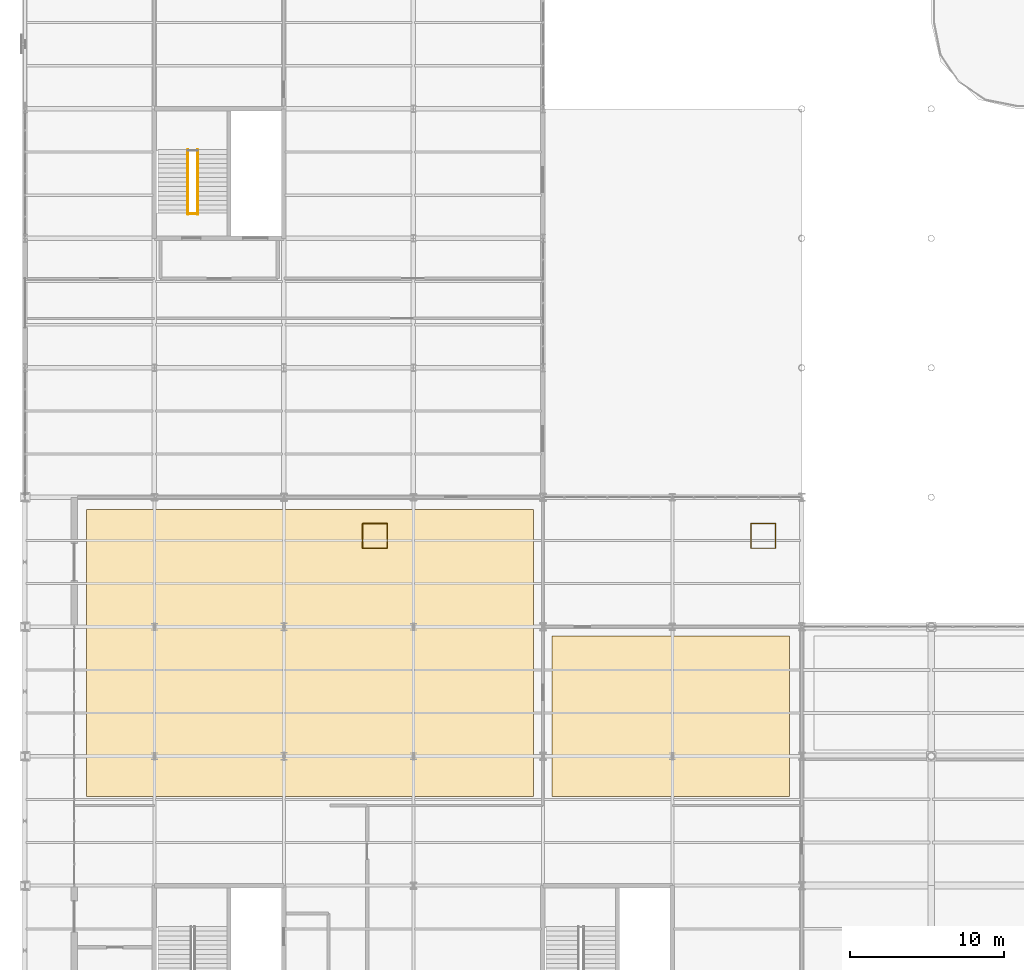
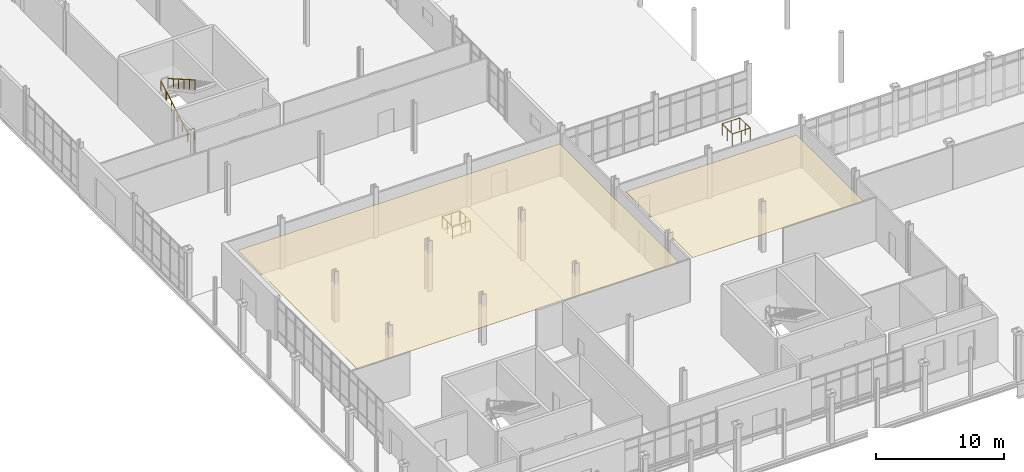
# One storey, part 137 of 145: 5 railings, 2 coverings.
"""IFC4 building model written with IfcOpenShell, lengths in metres."""

from ifc_helpers import new_model, si_unit, direction, frame, origin, origin_2d, place, context, subcontext, project, spatial, polyline, circle, outline, extrude, material, layer, layer_set, type_object, element, save


model = new_model("IFC4")

# Units and contexts
model_context = context("Model", 3, precision=1e-05, world=origin(), true_north=direction((0.0, 1.0)))
body_context = subcontext(model_context, "Body", "Model", "MODEL_VIEW")
ifc_project = project(units=[si_unit("LENGTHUNIT", "METRE"), si_unit("AREAUNIT", "SQUARE_METRE"), si_unit("VOLUMEUNIT", "CUBIC_METRE"), si_unit("PLANEANGLEUNIT", "RADIAN"), si_unit("MASSUNIT", "GRAM", prefix="KILO")], contexts=[model_context])

# Site, building, storey
site_placement = place(None, origin())
site = spatial("IfcSite", under=ifc_project, at=site_placement, CompositionType="ELEMENT")
building_placement = place(site_placement, origin())
building = spatial("IfcBuilding", under=site, at=building_placement, Name="Qalvenar Corner Mobility Hub", CompositionType="ELEMENT")
storey_placement = place(building_placement, origin())
storey = spatial("IfcBuildingStorey", under=building, at=storey_placement, Name="L00", CompositionType="ELEMENT", Elevation=0.0)

# Coverings
ifc_material_1 = material(Name="Perforated Acoustic Mineral Ceiling Board", Category="concrete")
ifc_layer = layer(ifc_material_1, 0.02490234375)
ifc_layer_set = layer_set([ifc_layer], Name="Perforated Acoustic Mineral Ceiling Board")
covering_type = type_object("IfcCoveringType", Name="COV-CEIL-AC", PredefinedType="CEILING", material=ifc_layer_set)
covering_1_placement = place(storey_placement, frame((0.0, 0.0, 3.60009765625)))
element("IfcCovering", 1, at=covering_1_placement, inside=storey, type_object=covering_type, Name="Ticketing Concourse Acoustic Ceiling", PredefinedType="CEILING", context=body_context, shape_type="SweptSolid", body=[
    extrude(outline(polyline([(4.0, 22.60009765625), (33.0, 22.60009765625), (33.0, 41.199951171875), (4.0, 41.199951171875), (4.0, 22.60009765625)])), origin(), (0.0, 0.0, 1.0), 0.02490234375),
])
covering_2_placement = place(storey_placement, frame((0.0, 0.0, 3.60009765625)))
element("IfcCovering", 2, at=covering_2_placement, inside=storey, type_object=covering_type, Name="Transit Cafe Acoustic Ceiling", PredefinedType="CEILING", context=body_context, shape_type="SweptSolid", body=[
    extrude(outline(polyline([(34.199951171875, 22.60009765625), (49.60009765625, 22.60009765625), (49.60009765625, 33.0), (34.199951171875, 33.0), (34.199951171875, 22.60009765625)])), origin(), (0.0, 0.0, 1.0), 0.02490234375),
])

# Railings
ifc_material_2 = material(Name="Art Nouveau Bronze-Finished Steel Balustrade", Category="steel")
railing_type_1 = type_object("IfcRailingType", Name="RL-GUARD-110", PredefinedType="GUARDRAIL", material=ifc_material_2)
railing_1_placement = place(storey_placement, frame((10.590087890625, 60.39990234375, 0.0)))
element("IfcRailing", 3, at=railing_1_placement, inside=storey, type_object=railing_type_1, Name="Stair Arrival Slot Guard C5-L00", PredefinedType="GUARDRAIL", context=body_context, shape_type="SweptSolid", body=[
    extrude(circle(Radius=0.02392578125, at=origin_2d()), frame((0.0, 0.0, 1.09619140625), z_axis=(1.0, 0.0, 0.0), x_axis=(0.0, 1.0, 0.0)), (0.0, 0.0, 1.0), 0.599853515625),
    extrude(circle(Radius=0.02099609375, at=origin_2d()), origin(), (0.0, 0.0, 1.0), 1.072021484375),
    extrude(circle(Radius=0.02099609375, at=origin_2d()), frame((0.599853515625, 0.0, 0.0)), (0.0, 0.0, 1.0), 1.072021484375),
])
ifc_material_3 = material(Name="Galvanised Steel Deck Edge Barrier", Category="steel")
railing_type_2 = type_object("IfcRailingType", Name="RL-GUARD-115", PredefinedType="GUARDRAIL", material=ifc_material_3)
railing_2_placement = place(storey_placement, frame((21.89990234375, 38.699951171875, 0.0)))
element("IfcRailing", 4, at=railing_2_placement, inside=storey, type_object=railing_type_2, Name="Riser Opening Guard V3-A-L00", PredefinedType="GUARDRAIL", context=body_context, shape_type="SweptSolid", body=[
    extrude(circle(Radius=0.02392578125, at=origin_2d()), frame((0.0, 0.0, 1.1259765625), z_axis=(1.0, 0.0, 0.0), x_axis=(0.0, 1.0, 0.0)), (0.0, 0.0, 1.0), 1.60009765625),
    extrude(circle(Radius=0.02392578125, at=origin_2d()), frame((1.60009765625, 0.0, 1.1259765625), z_axis=(0.0, 1.0, 0.0), x_axis=(-1.0, 0.0, 0.0)), (0.0, 0.0, 1.0), 1.60009765625),
    extrude(circle(Radius=0.02392578125, at=origin_2d()), frame((1.60009765625, 1.60009765625, 1.1259765625), z_axis=(-1.0, 0.0, 0.0), x_axis=(0.0, -1.0, 0.0)), (0.0, 0.0, 1.0), 1.60009765625),
    extrude(circle(Radius=0.02392578125, at=origin_2d()), frame((0.0, 1.60009765625, 1.1259765625), z_axis=(0.0, -1.0, 0.0), x_axis=(1.0, 0.0, 0.0)), (0.0, 0.0, 1.0), 1.60009765625),
    extrude(circle(Radius=0.02099609375, at=origin_2d()), origin(), (0.0, 0.0, 1.0), 1.101806640625),
    extrude(circle(Radius=0.02099609375, at=origin_2d()), frame((0.800048828125, 0.0, 0.0)), (0.0, 0.0, 1.0), 1.101806640625),
    extrude(circle(Radius=0.02099609375, at=origin_2d()), frame((1.60009765625, 0.0, 0.0)), (0.0, 0.0, 1.0), 1.101806640625),
    extrude(circle(Radius=0.02099609375, at=origin_2d()), frame((1.60009765625, 0.800048828125, 0.0)), (0.0, 0.0, 1.0), 1.101806640625),
    extrude(circle(Radius=0.02099609375, at=origin_2d()), frame((1.60009765625, 1.60009765625, 0.0)), (0.0, 0.0, 1.0), 1.101806640625),
    extrude(circle(Radius=0.02099609375, at=origin_2d()), frame((0.800048828125, 1.60009765625, 0.0)), (0.0, 0.0, 1.0), 1.101806640625),
    extrude(circle(Radius=0.02099609375, at=origin_2d()), frame((0.0, 1.60009765625, 0.0)), (0.0, 0.0, 1.0), 1.101806640625),
    extrude(circle(Radius=0.02099609375, at=origin_2d()), frame((0.0, 0.800048828125, 0.0)), (0.0, 0.0, 1.0), 1.101806640625),
])
railing_3_placement = place(storey_placement, frame((47.10009765625, 38.699951171875, 0.0)))
element("IfcRailing", 5, at=railing_3_placement, inside=storey, type_object=railing_type_2, Name="Riser Opening Guard V3-B-L00", PredefinedType="GUARDRAIL", context=body_context, shape_type="SweptSolid", body=[
    extrude(circle(Radius=0.02392578125, at=origin_2d()), frame((0.0, 0.0, 1.1259765625), z_axis=(1.0, 0.0, 0.0), x_axis=(0.0, 1.0, 0.0)), (0.0, 0.0, 1.0), 1.599853515625),
    extrude(circle(Radius=0.02392578125, at=origin_2d()), frame((1.599853515625, 0.0, 1.1259765625), z_axis=(0.0, 1.0, 0.0), x_axis=(-1.0, 0.0, 0.0)), (0.0, 0.0, 1.0), 1.60009765625),
    extrude(circle(Radius=0.02392578125, at=origin_2d()), frame((1.599853515625, 1.60009765625, 1.1259765625), z_axis=(-1.0, 0.0, 0.0), x_axis=(0.0, -1.0, 0.0)), (0.0, 0.0, 1.0), 1.599853515625),
    extrude(circle(Radius=0.02392578125, at=origin_2d()), frame((0.0, 1.60009765625, 1.1259765625), z_axis=(0.0, -1.0, 0.0), x_axis=(1.0, 0.0, 0.0)), (0.0, 0.0, 1.0), 1.60009765625),
    extrude(circle(Radius=0.02099609375, at=origin_2d()), origin(), (0.0, 0.0, 1.0), 1.101806640625),
    extrude(circle(Radius=0.02099609375, at=origin_2d()), frame((0.7998046875, 0.0, 0.0)), (0.0, 0.0, 1.0), 1.101806640625),
    extrude(circle(Radius=0.02099609375, at=origin_2d()), frame((1.599853515625, 0.0, 0.0)), (0.0, 0.0, 1.0), 1.101806640625),
    extrude(circle(Radius=0.02099609375, at=origin_2d()), frame((1.599853515625, 0.800048828125, 0.0)), (0.0, 0.0, 1.0), 1.101806640625),
    extrude(circle(Radius=0.02099609375, at=origin_2d()), frame((1.599853515625, 1.60009765625, 0.0)), (0.0, 0.0, 1.0), 1.101806640625),
    extrude(circle(Radius=0.02099609375, at=origin_2d()), frame((0.7998046875, 1.60009765625, 0.0)), (0.0, 0.0, 1.0), 1.101806640625),
    extrude(circle(Radius=0.02099609375, at=origin_2d()), frame((0.0, 1.60009765625, 0.0)), (0.0, 0.0, 1.0), 1.101806640625),
    extrude(circle(Radius=0.02099609375, at=origin_2d()), frame((0.0, 0.800048828125, 0.0)), (0.0, 0.0, 1.0), 1.101806640625),
])
ifc_material_4 = material(Name="Brushed Stainless Steel Handrail", Category="steel")
railing_type_3 = type_object("IfcRailingType", Name="RL-HAND-092", PredefinedType="HANDRAIL", material=ifc_material_4)
railing_4_placement = place(storey_placement, frame((10.570068359375, 60.35009765625, 0.0)))
element("IfcRailing", 6, at=railing_4_placement, inside=storey, type_object=railing_type_3, Name="Stair Handrail ST5-L00-1", PredefinedType="HANDRAIL", context=body_context, shape_type="SweptSolid", body=[
    extrude(circle(Radius=0.02392578125, at=origin_2d()), frame((0.0, 0.0, 0.89599609375), z_axis=(0.0, 0.868249353848, 0.496128067682), x_axis=(-1.0, 0.0, 0.0)), (0.0, 0.0, 1.0), 4.837158203125),
    extrude(circle(Radius=0.02099609375, at=origin_2d()), origin(), (0.0, 0.0, 1.0), 0.871826171875),
    extrude(circle(Radius=0.02099609375, at=origin_2d()), frame((0.0, 0.840087890625, 0.47998046875)), (0.0, 0.0, 1.0), 0.871826171875),
    extrude(circle(Radius=0.02099609375, at=origin_2d()), frame((0.0, 1.679931640625, 0.9599609375)), (0.0, 0.0, 1.0), 0.871826171875),
    extrude(circle(Radius=0.02099609375, at=origin_2d()), frame((0.0, 2.52001953125, 1.43994140625)), (0.0, 0.0, 1.0), 0.871826171875),
    extrude(circle(Radius=0.02099609375, at=origin_2d()), frame((0.0, 3.35986328125, 1.919921875)), (0.0, 0.0, 1.0), 0.871826171875),
    extrude(circle(Radius=0.02099609375, at=origin_2d()), frame((0.0, 4.199951171875, 2.39990234375)), (0.0, 0.0, 1.0), 0.871826171875),
])
railing_5_placement = place(storey_placement, frame((11.2099609375, 64.550048828125, 2.39990234375)))
element("IfcRailing", 7, at=railing_5_placement, inside=storey, type_object=railing_type_3, Name="Stair Handrail ST5-L00-2", PredefinedType="HANDRAIL", context=body_context, shape_type="SweptSolid", body=[
    extrude(circle(Radius=0.02392578125, at=origin_2d()), frame((0.0, 0.0, 0.89599609375), z_axis=(0.0, -0.868227612608, 0.496166114024), x_axis=(1.0, 0.0, 0.0)), (0.0, 0.0, 1.0), 4.83740234375),
    extrude(circle(Radius=0.02099609375, at=origin_2d()), origin(), (0.0, 0.0, 1.0), 0.871826171875),
    extrude(circle(Radius=0.02099609375, at=origin_2d()), frame((0.0, -0.840087890625, 0.47998046875)), (0.0, 0.0, 1.0), 0.871826171875),
    extrude(circle(Radius=0.02099609375, at=origin_2d()), frame((0.0, -1.679931640625, 0.9599609375)), (0.0, 0.0, 1.0), 0.871826171875),
    extrude(circle(Radius=0.02099609375, at=origin_2d()), frame((0.0, -2.52001953125, 1.440185546875)), (0.0, 0.0, 1.0), 0.871826171875),
    extrude(circle(Radius=0.02099609375, at=origin_2d()), frame((0.0, -3.35986328125, 1.920166015625)), (0.0, 0.0, 1.0), 0.871826171875),
    extrude(circle(Radius=0.02099609375, at=origin_2d()), frame((0.0, -4.199951171875, 2.400146484375)), (0.0, 0.0, 1.0), 0.871826171875),
])

save(model, "model.ifc")
